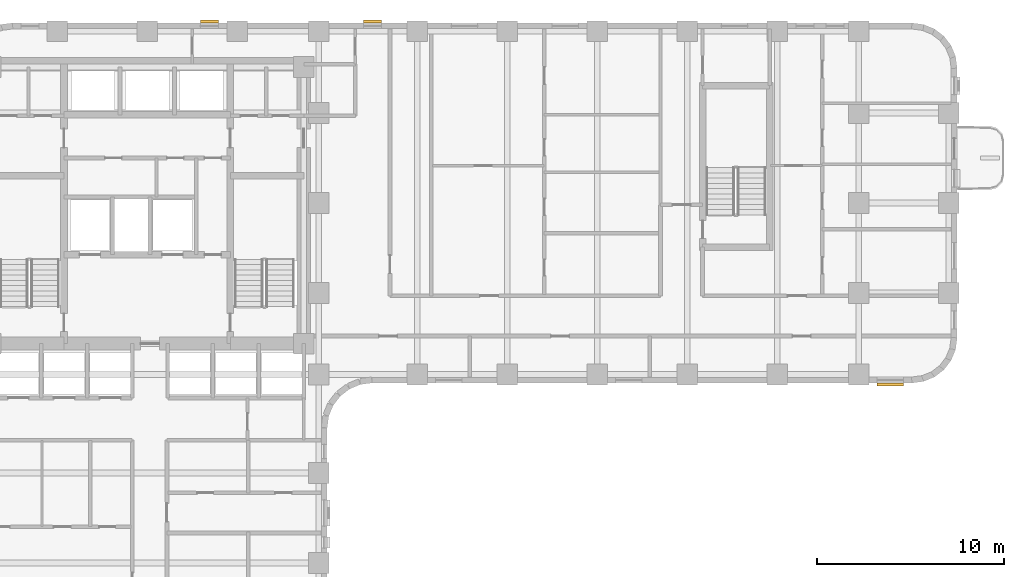
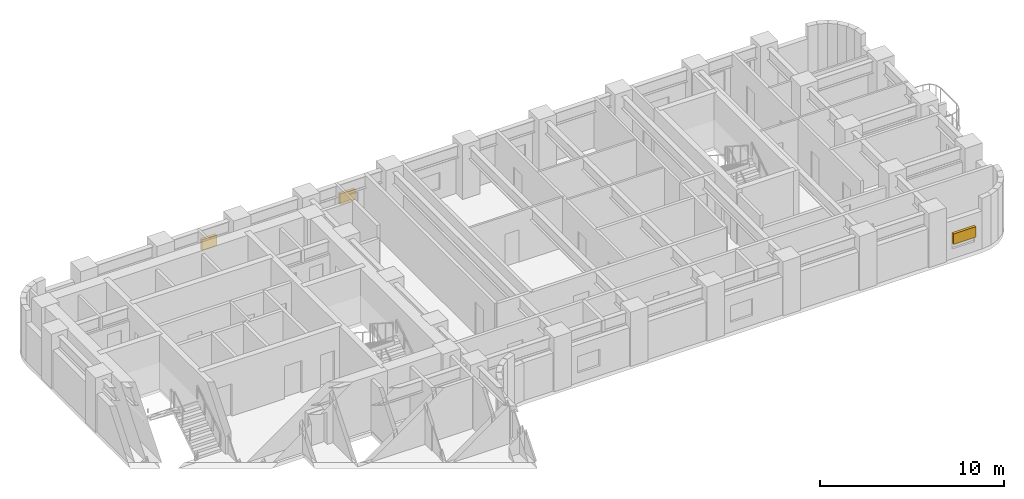
# One storey, part 9 of 11: 3 shading devices.
"""IFC4 building model written with IfcOpenShell, lengths in metres."""

import ifcopenshell
import ifcopenshell.guid

model = None  # the IFC model being written
_history = None  # IfcOwnerHistory: only IFC2X3 demands one
_inside = {}  # id of a spatial element -> (the spatial element, [elements in it])
_under = {}  # id of a project, library or spatial element -> (it, [spatial elements below it])
_declared = {}  # id of a project -> (the project, [libraries it declares])
_typed = {}  # id of a type object -> (the type object, [elements of that type])
_made_of = {}  # id of a material, layer set ... -> (it, [elements and type objects made of it])


def new_model(schema):
    """Start an empty IFC model of exactly this schema.

    Asked for "IFC4X3", IfcOpenShell would pick the latest addendum, in which some entities
    have other attributes; the version numbers below select the first issue.
    IFC2X3 requires an IfcOwnerHistory on every rooted entity: one is made here for all.
    """
    global model, _history
    if schema == "IFC4X3":
        model = ifcopenshell.file(schema_version=(4, 3, 0, 0))
    else:
        model = ifcopenshell.file(schema=schema)
    _inside.clear()
    _under.clear()
    _declared.clear()
    _typed.clear()
    _made_of.clear()
    _history = None
    if model.schema == "IFC2X3":
        org = make("IfcOrganization", Name="unknown")
        user = make(
            "IfcPersonAndOrganization",
            ThePerson=make("IfcPerson", FamilyName="unknown"),
            TheOrganization=org,
        )
        app = make(
            "IfcApplication",
            ApplicationDeveloper=org,
            Version="unknown",
            ApplicationFullName="unknown",
            ApplicationIdentifier="unknown",
        )
        _history = make(
            "IfcOwnerHistory",
            OwningUser=user,
            OwningApplication=app,
            ChangeAction="ADDED",
            CreationDate=0,
        )
    return model


def make(cls, **values):
    """One entity of the class cls with the attributes given. An attribute that is None is left unset."""
    return model.create_entity(
        cls, **{name: value for name, value in values.items() if value is not None}
    )


def rooted(cls, **values):
    """An entity with a GlobalId (a new one), such as an element, a storey or a relation."""
    return make(cls, GlobalId=ifcopenshell.guid.new(), OwnerHistory=_history, **values)


def si_unit(unit_type, name, prefix=None):
    """IfcSIUnit, for example si_unit("LENGTHUNIT", "METRE", prefix="MILLI")."""
    return make("IfcSIUnit", UnitType=unit_type, Prefix=prefix, Name=name)


def assignment(units):
    """IfcUnitAssignment: the units of a project."""
    return None if units is None else make("IfcUnitAssignment", Units=units)


def point(xyz):
    """IfcCartesianPoint."""
    return None if xyz is None else make("IfcCartesianPoint", Coordinates=xyz)


def direction(xyz):
    """IfcDirection."""
    return None if xyz is None else make("IfcDirection", DirectionRatios=xyz)


def frame(location, z_axis=None, x_axis=None):
    """IfcAxis2Placement3D, a coordinate frame: its origin and axes. An axis left out is left unset."""
    return make(
        "IfcAxis2Placement3D",
        Location=point(location),
        Axis=direction(z_axis),
        RefDirection=direction(x_axis),
    )


def frame_2d(location, x_axis=None):
    """IfcAxis2Placement2D, a coordinate frame in the plane: its origin and x axis."""
    return make(
        "IfcAxis2Placement2D", Location=point(location), RefDirection=direction(x_axis)
    )


def origin():
    """The frame at (0, 0, 0) with its axes left unset."""
    return frame((0.0, 0.0, 0.0))


def origin_2d():
    """The frame at (0, 0) in the plane with its x axis left unset."""
    return frame_2d((0.0, 0.0))


def place(relative_to, where):
    """IfcLocalPlacement: puts the frame where relative to a parent placement (None: the world)."""
    return make(
        "IfcLocalPlacement", PlacementRelTo=relative_to, RelativePlacement=where
    )


def context(
    kind, dimensions, precision=None, world=None, true_north=None, identifier=None
):
    """IfcGeometricRepresentationContext, for example the 3D "Model" context."""
    return make(
        "IfcGeometricRepresentationContext",
        ContextIdentifier=identifier,
        ContextType=kind,
        CoordinateSpaceDimension=dimensions,
        Precision=precision,
        WorldCoordinateSystem=world,
        TrueNorth=true_north,
    )


def subcontext(parent, identifier, kind, view, scale=None):
    """IfcGeometricRepresentationSubContext, for example "Body" below "Model"."""
    return make(
        "IfcGeometricRepresentationSubContext",
        ContextIdentifier=identifier,
        ContextType=kind,
        ParentContext=parent,
        TargetScale=scale,
        TargetView=view,
    )


def project(units=None, contexts=None):
    """IfcProject with its units and contexts."""
    return rooted(
        "IfcProject",
        Name="project",
        RepresentationContexts=contexts,
        UnitsInContext=assignment(units),
    )


def spatial(cls, under=None, at=None, **own):
    """A site, building, storey or space (cls), placed at a placement, below another one or the project."""
    s = rooted(cls, ObjectPlacement=at, **own)
    if under is not None:
        _under.setdefault(under.id(), (under, []))[1].append(s)
    return s


def profile(cls, at=None, kind="AREA", **sizes):
    """A parametric profile (cls). Its sizes go by their IFC names, for example OverallWidth=200.0."""
    return make(cls, ProfileType=kind, Position=at, **sizes)


def rectangle(**sizes):
    """IfcRectangleProfileDef."""
    return profile("IfcRectangleProfileDef", **sizes)


def extrude(swept, where, along, depth):
    """IfcExtrudedAreaSolid: the profile swept, set in the frame where, extruded along a direction by depth."""
    return make(
        "IfcExtrudedAreaSolid",
        SweptArea=swept,
        Position=where,
        ExtrudedDirection=direction(along),
        Depth=depth,
    )


def shape(context_of_items, identifier, shape_type, items):
    """IfcShapeRepresentation: the items that make up one representation, for example the "Body"."""
    return make(
        "IfcShapeRepresentation",
        ContextOfItems=context_of_items,
        RepresentationIdentifier=identifier,
        RepresentationType=shape_type,
        Items=items,
    )


def material(Name=None, Category=None):
    """IfcMaterial."""
    return make("IfcMaterial", Name=Name, Category=Category)


def made_of(thing, what):
    """Note that an element or type object is made of a material, layer set ...; save() writes the relation."""
    if what is not None:
        _made_of.setdefault(what.id(), (what, []))[1].append(thing)
    return thing


def type_object(cls, material=None, **own):
    """A type object (cls), such as IfcWallType, which elements share."""
    return made_of(rooted(cls, **own), material)


def element(
    cls,
    number,
    at=None,
    inside=None,
    cuts=None,
    type_object=None,
    material=None,
    context=None,
    identifier="Body",
    shape_type=None,
    held_by="IfcProductDefinitionShape",
    body=None,
    shapes=None,
    **own,
):
    """One element of the class cls, such as IfcWall. Its Tag is "e" and its number.

    at: its placement. inside: the storey or other place that contains it. cuts: it is an
    opening in that element (IfcRelVoidsElement). A single representation is given by context,
    identifier, shape_type and body (its items); several are given by shapes. held_by: the class
    of the entity that holds the representations. save() writes the other relations.
    """
    e = rooted(cls, Tag="e%d" % number, ObjectPlacement=at, **own)
    if body is not None:
        shapes = [shape(context, identifier, shape_type, body)]
    if shapes is not None:
        e.Representation = make(held_by, Representations=shapes)
    if inside is not None:
        _inside.setdefault(inside.id(), (inside, []))[1].append(e)
    if cuts is not None:
        rooted(
            "IfcRelVoidsElement", RelatingBuildingElement=cuts, RelatedOpeningElement=e
        )
    if type_object is not None:
        _typed.setdefault(type_object.id(), (type_object, []))[1].append(e)
    return made_of(e, material)


def aggregate(whole, parts):
    """IfcRelAggregates: a whole, such as a stair, and the parts it consists of."""
    return rooted("IfcRelAggregates", RelatingObject=whole, RelatedObjects=parts)


def save(model, path):
    """Write the relations noted so far, then the file.

    IfcRelAggregates (storeys below a building ...), IfcRelContainedInSpatialStructure (elements
    in a storey), IfcRelDefinesByType, IfcRelAssociatesMaterial and IfcRelDeclares: one each for
    every whole, place, type object, material and project.
    """
    for whole, parts in _under.values():
        aggregate(whole, parts)
    for where, things in _inside.values():
        rooted(
            "IfcRelContainedInSpatialStructure",
            RelatedElements=things,
            RelatingStructure=where,
        )
    for kind, things in _typed.values():
        rooted("IfcRelDefinesByType", RelatedObjects=things, RelatingType=kind)
    for what, things in _made_of.values():
        rooted("IfcRelAssociatesMaterial", RelatedObjects=things, RelatingMaterial=what)
    for by, libraries in _declared.values():
        rooted("IfcRelDeclares", RelatingContext=by, RelatedDefinitions=libraries)
    model.write(path)


model = new_model("IFC4")

# Units and contexts
model_context = context("Model", 3, precision=1e-05, world=origin(), true_north=direction((0.0, 1.0)))
body_context = subcontext(model_context, "Body", "Model", "MODEL_VIEW")
ifc_project = project(units=[si_unit("LENGTHUNIT", "METRE"), si_unit("AREAUNIT", "SQUARE_METRE"), si_unit("VOLUMEUNIT", "CUBIC_METRE"), si_unit("PLANEANGLEUNIT", "RADIAN"), si_unit("MASSUNIT", "GRAM", prefix="KILO")], contexts=[model_context])

# Site, building, storey
site_placement = place(None, origin())
site = spatial("IfcSite", under=ifc_project, at=site_placement, CompositionType="ELEMENT")
building_placement = place(site_placement, origin())
building = spatial("IfcBuilding", under=site, at=building_placement, Name="Orvandelia Arch Residences", CompositionType="ELEMENT")
storey_placement = place(building_placement, frame((0.0, 0.0, 61.0)))
storey = spatial("IfcBuildingStorey", under=building, at=storey_placement, Name="L15", CompositionType="ELEMENT", Elevation=61.0)

# Shading devices
ifc_material = material(Name="Anodised Champagne-Bronze Extruded Aluminium", Category="aluminium")
shading_device_type = type_object("IfcShadingDeviceType", Name="SHD-JALOUSIE-SCREEN", PredefinedType="JALOUSIE", material=ifc_material)
for number, where, z_axis, x_axis, name in (
    (1, (26.4150390625, 48.080078125, 1.5498046875), (0.0, 0.0, 1.0), (1.0, 0.0, 0.0), "Bronze Jalousie Sun-Shade L15-001"),
    (2, (17.715087890625, 48.080078125, 1.5498046875), (0.0, 0.0, 1.0), (1.0, 0.0, 0.0), "Bronze Jalousie Sun-Shade L15-002"),
):
    element("IfcShadingDevice", number, at=place(storey_placement, frame(where, z_axis=z_axis, x_axis=x_axis)), inside=storey, type_object=shading_device_type, Name=name, PredefinedType="JALOUSIE", context=body_context, shape_type="SweptSolid", body=[
        extrude(rectangle(XDim=0.949951171875, YDim=0.159912109375, at=origin_2d()), origin(), (0.0, 0.0, 1.0), 0.699951171875),
    ])
shading_device_placement = place(storey_placement, frame((54.030029296875, 28.719970703125, 1.0498046875), z_axis=(0.0, 0.0, 1.0), x_axis=(-1.0, 0.0, 0.0)))
element("IfcShadingDevice", 3, at=shading_device_placement, inside=storey, type_object=shading_device_type, Name="Bronze Jalousie Sun-Shade L15-005", PredefinedType="JALOUSIE", context=body_context, shape_type="SweptSolid", body=[
    extrude(rectangle(XDim=1.39990234375, YDim=0.159912109375, at=origin_2d()), origin(), (0.0, 0.0, 1.0), 0.699951171875),
])

save(model, "model.ifc")
